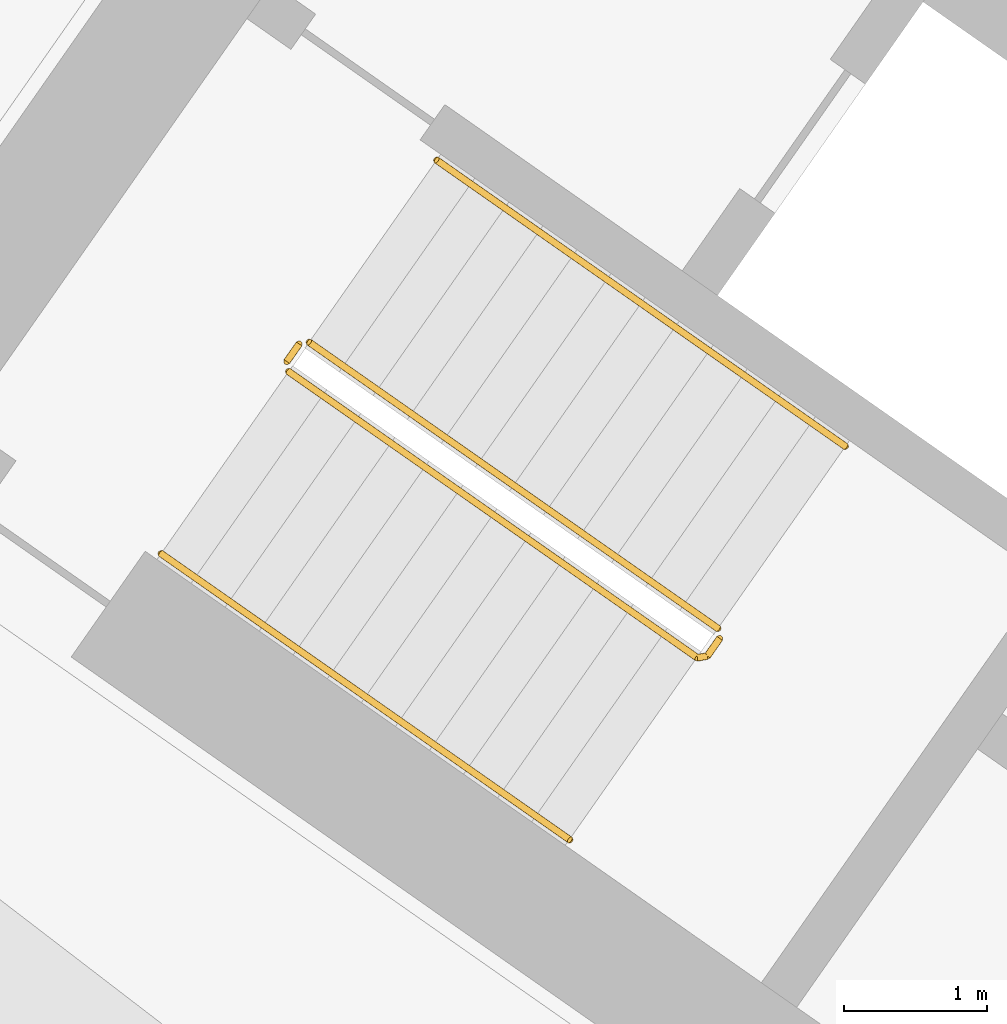
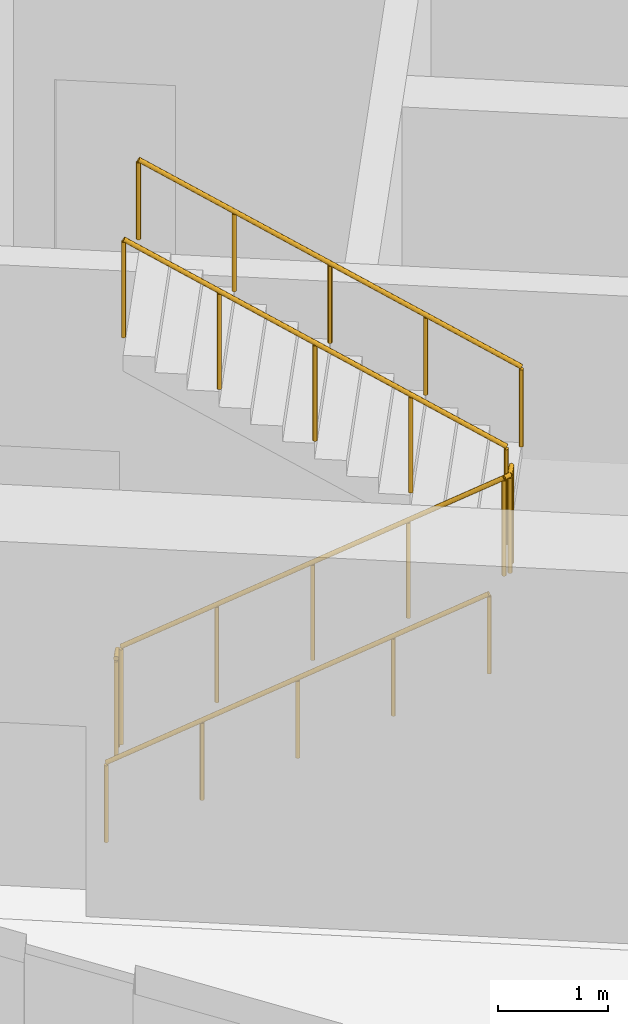
# One storey, part 16 of 20: 5 railings.
"""IFC4 building model written with IfcOpenShell, lengths in metres."""

import ifcopenshell
import ifcopenshell.guid

model = None  # the IFC model being written
_history = None  # IfcOwnerHistory: only IFC2X3 demands one
_inside = {}  # id of a spatial element -> (the spatial element, [elements in it])
_under = {}  # id of a project, library or spatial element -> (it, [spatial elements below it])
_declared = {}  # id of a project -> (the project, [libraries it declares])
_typed = {}  # id of a type object -> (the type object, [elements of that type])
_made_of = {}  # id of a material, layer set ... -> (it, [elements and type objects made of it])


def new_model(schema):
    """Start an empty IFC model of exactly this schema.

    Asked for "IFC4X3", IfcOpenShell would pick the latest addendum, in which some entities
    have other attributes; the version numbers below select the first issue.
    IFC2X3 requires an IfcOwnerHistory on every rooted entity: one is made here for all.
    """
    global model, _history
    if schema == "IFC4X3":
        model = ifcopenshell.file(schema_version=(4, 3, 0, 0))
    else:
        model = ifcopenshell.file(schema=schema)
    _inside.clear()
    _under.clear()
    _declared.clear()
    _typed.clear()
    _made_of.clear()
    _history = None
    if model.schema == "IFC2X3":
        org = make("IfcOrganization", Name="unknown")
        user = make(
            "IfcPersonAndOrganization",
            ThePerson=make("IfcPerson", FamilyName="unknown"),
            TheOrganization=org,
        )
        app = make(
            "IfcApplication",
            ApplicationDeveloper=org,
            Version="unknown",
            ApplicationFullName="unknown",
            ApplicationIdentifier="unknown",
        )
        _history = make(
            "IfcOwnerHistory",
            OwningUser=user,
            OwningApplication=app,
            ChangeAction="ADDED",
            CreationDate=0,
        )
    return model


def make(cls, **values):
    """One entity of the class cls with the attributes given. An attribute that is None is left unset."""
    return model.create_entity(
        cls, **{name: value for name, value in values.items() if value is not None}
    )


def rooted(cls, **values):
    """An entity with a GlobalId (a new one), such as an element, a storey or a relation."""
    return make(cls, GlobalId=ifcopenshell.guid.new(), OwnerHistory=_history, **values)


def si_unit(unit_type, name, prefix=None):
    """IfcSIUnit, for example si_unit("LENGTHUNIT", "METRE", prefix="MILLI")."""
    return make("IfcSIUnit", UnitType=unit_type, Prefix=prefix, Name=name)


def assignment(units):
    """IfcUnitAssignment: the units of a project."""
    return None if units is None else make("IfcUnitAssignment", Units=units)


def point(xyz):
    """IfcCartesianPoint."""
    return None if xyz is None else make("IfcCartesianPoint", Coordinates=xyz)


def direction(xyz):
    """IfcDirection."""
    return None if xyz is None else make("IfcDirection", DirectionRatios=xyz)


def frame(location, z_axis=None, x_axis=None):
    """IfcAxis2Placement3D, a coordinate frame: its origin and axes. An axis left out is left unset."""
    return make(
        "IfcAxis2Placement3D",
        Location=point(location),
        Axis=direction(z_axis),
        RefDirection=direction(x_axis),
    )


def frame_2d(location, x_axis=None):
    """IfcAxis2Placement2D, a coordinate frame in the plane: its origin and x axis."""
    return make(
        "IfcAxis2Placement2D", Location=point(location), RefDirection=direction(x_axis)
    )


def origin():
    """The frame at (0, 0, 0) with its axes left unset."""
    return frame((0.0, 0.0, 0.0))


def origin_2d():
    """The frame at (0, 0) in the plane with its x axis left unset."""
    return frame_2d((0.0, 0.0))


def place(relative_to, where):
    """IfcLocalPlacement: puts the frame where relative to a parent placement (None: the world)."""
    return make(
        "IfcLocalPlacement", PlacementRelTo=relative_to, RelativePlacement=where
    )


def context(
    kind, dimensions, precision=None, world=None, true_north=None, identifier=None
):
    """IfcGeometricRepresentationContext, for example the 3D "Model" context."""
    return make(
        "IfcGeometricRepresentationContext",
        ContextIdentifier=identifier,
        ContextType=kind,
        CoordinateSpaceDimension=dimensions,
        Precision=precision,
        WorldCoordinateSystem=world,
        TrueNorth=true_north,
    )


def subcontext(parent, identifier, kind, view, scale=None):
    """IfcGeometricRepresentationSubContext, for example "Body" below "Model"."""
    return make(
        "IfcGeometricRepresentationSubContext",
        ContextIdentifier=identifier,
        ContextType=kind,
        ParentContext=parent,
        TargetScale=scale,
        TargetView=view,
    )


def project(units=None, contexts=None):
    """IfcProject with its units and contexts."""
    return rooted(
        "IfcProject",
        Name="project",
        RepresentationContexts=contexts,
        UnitsInContext=assignment(units),
    )


def spatial(cls, under=None, at=None, **own):
    """A site, building, storey or space (cls), placed at a placement, below another one or the project."""
    s = rooted(cls, ObjectPlacement=at, **own)
    if under is not None:
        _under.setdefault(under.id(), (under, []))[1].append(s)
    return s


def profile(cls, at=None, kind="AREA", **sizes):
    """A parametric profile (cls). Its sizes go by their IFC names, for example OverallWidth=200.0."""
    return make(cls, ProfileType=kind, Position=at, **sizes)


def circle(**sizes):
    """IfcCircleProfileDef."""
    return profile("IfcCircleProfileDef", **sizes)


def extrude(swept, where, along, depth):
    """IfcExtrudedAreaSolid: the profile swept, set in the frame where, extruded along a direction by depth."""
    return make(
        "IfcExtrudedAreaSolid",
        SweptArea=swept,
        Position=where,
        ExtrudedDirection=direction(along),
        Depth=depth,
    )


def shape(context_of_items, identifier, shape_type, items):
    """IfcShapeRepresentation: the items that make up one representation, for example the "Body"."""
    return make(
        "IfcShapeRepresentation",
        ContextOfItems=context_of_items,
        RepresentationIdentifier=identifier,
        RepresentationType=shape_type,
        Items=items,
    )


def material(Name=None, Category=None):
    """IfcMaterial."""
    return make("IfcMaterial", Name=Name, Category=Category)


def made_of(thing, what):
    """Note that an element or type object is made of a material, layer set ...; save() writes the relation."""
    if what is not None:
        _made_of.setdefault(what.id(), (what, []))[1].append(thing)
    return thing


def type_object(cls, material=None, **own):
    """A type object (cls), such as IfcWallType, which elements share."""
    return made_of(rooted(cls, **own), material)


def element(
    cls,
    number,
    at=None,
    inside=None,
    cuts=None,
    type_object=None,
    material=None,
    context=None,
    identifier="Body",
    shape_type=None,
    held_by="IfcProductDefinitionShape",
    body=None,
    shapes=None,
    **own,
):
    """One element of the class cls, such as IfcWall. Its Tag is "e" and its number.

    at: its placement. inside: the storey or other place that contains it. cuts: it is an
    opening in that element (IfcRelVoidsElement). A single representation is given by context,
    identifier, shape_type and body (its items); several are given by shapes. held_by: the class
    of the entity that holds the representations. save() writes the other relations.
    """
    e = rooted(cls, Tag="e%d" % number, ObjectPlacement=at, **own)
    if body is not None:
        shapes = [shape(context, identifier, shape_type, body)]
    if shapes is not None:
        e.Representation = make(held_by, Representations=shapes)
    if inside is not None:
        _inside.setdefault(inside.id(), (inside, []))[1].append(e)
    if cuts is not None:
        rooted(
            "IfcRelVoidsElement", RelatingBuildingElement=cuts, RelatedOpeningElement=e
        )
    if type_object is not None:
        _typed.setdefault(type_object.id(), (type_object, []))[1].append(e)
    return made_of(e, material)


def aggregate(whole, parts):
    """IfcRelAggregates: a whole, such as a stair, and the parts it consists of."""
    return rooted("IfcRelAggregates", RelatingObject=whole, RelatedObjects=parts)


def save(model, path):
    """Write the relations noted so far, then the file.

    IfcRelAggregates (storeys below a building ...), IfcRelContainedInSpatialStructure (elements
    in a storey), IfcRelDefinesByType, IfcRelAssociatesMaterial and IfcRelDeclares: one each for
    every whole, place, type object, material and project.
    """
    for whole, parts in _under.values():
        aggregate(whole, parts)
    for where, things in _inside.values():
        rooted(
            "IfcRelContainedInSpatialStructure",
            RelatedElements=things,
            RelatingStructure=where,
        )
    for kind, things in _typed.values():
        rooted("IfcRelDefinesByType", RelatedObjects=things, RelatingType=kind)
    for what, things in _made_of.values():
        rooted("IfcRelAssociatesMaterial", RelatedObjects=things, RelatingMaterial=what)
    for by, libraries in _declared.values():
        rooted("IfcRelDeclares", RelatingContext=by, RelatedDefinitions=libraries)
    model.write(path)


model = new_model("IFC4")

# Units and contexts
model_context = context("Model", 3, precision=1e-05, world=origin(), true_north=direction((0.0, 1.0)))
body_context = subcontext(model_context, "Body", "Model", "MODEL_VIEW")
ifc_project = project(units=[si_unit("LENGTHUNIT", "METRE"), si_unit("AREAUNIT", "SQUARE_METRE"), si_unit("VOLUMEUNIT", "CUBIC_METRE"), si_unit("PLANEANGLEUNIT", "RADIAN"), si_unit("MASSUNIT", "GRAM", prefix="KILO")], contexts=[model_context])

# Site, building, storey
site_placement = place(None, origin())
site = spatial("IfcSite", under=ifc_project, at=site_placement, CompositionType="ELEMENT")
building_placement = place(site_placement, origin())
building = spatial("IfcBuilding", under=site, at=building_placement, Name="Qamariyya Broadcast Tower", CompositionType="ELEMENT")
storey_placement = place(building_placement, frame((0.0, 0.0, 27.0)))
storey = spatial("IfcBuildingStorey", under=building, at=storey_placement, Name="L03", CompositionType="ELEMENT", Elevation=27.0)

# Railings
ifc_material_1 = material(Name="Painted steel", Category="steel")
railing_type_1 = type_object("IfcRailingType", Name="Stair guard", PredefinedType="GUARDRAIL", material=ifc_material_1)
railing_1_placement = place(storey_placement, frame((-46.624267578125, -56.34765625, 0.173095703125)))
element("IfcRailing", 1, at=railing_1_placement, inside=storey, type_object=railing_type_1, Name="L03 ST-W1 stair guard 1", PredefinedType="GUARDRAIL", context=body_context, shape_type="SweptSolid", body=[
    extrude(circle(Radius=0.02392578125, at=origin_2d()), frame((0.0, 0.0, 1.076171875), z_axis=(0.703392637411, -0.492543525477, 0.512483827206), x_axis=(0.573594173421, 0.819139624372, 0.0)), (0.0, 0.0, 1.0), 4.052734375),
    extrude(circle(Radius=0.02392578125, at=origin_2d()), frame((2.8505859375, -1.99609375, 3.15283203125), z_axis=(0.984957024646, 0.172799478008, 0.0), x_axis=(-0.172799478008, 0.984957024646, 0.0)), (0.0, 0.0, 1.0), 0.070556640625),
    extrude(circle(Radius=0.02392578125, at=origin_2d()), frame((2.920166015625, -1.98388671875, 3.15283203125), z_axis=(0.574444878118, 0.818543268254, 0.0), x_axis=(-0.818543268254, 0.574444878118, 0.0)), (0.0, 0.0, 1.0), 0.150146484375),
    extrude(circle(Radius=0.02099609375, at=origin_2d()), origin(), (0.0, 0.0, 1.0), 1.052001953125),
    extrude(circle(Radius=0.02099609375, at=origin_2d()), frame((0.712646484375, -0.4990234375, 0.519287109375)), (0.0, 0.0, 1.0), 1.052001953125),
    extrude(circle(Radius=0.02099609375, at=origin_2d()), frame((1.42529296875, -0.998046875, 1.03857421875)), (0.0, 0.0, 1.0), 1.052001953125),
    extrude(circle(Radius=0.02099609375, at=origin_2d()), frame((2.137939453125, -1.4970703125, 1.5576171875)), (0.0, 0.0, 1.0), 1.052001953125),
    extrude(circle(Radius=0.02099609375, at=origin_2d()), frame((2.8505859375, -1.99609375, 2.076904296875)), (0.0, 0.0, 1.0), 1.052001953125),
    extrude(circle(Radius=0.02099609375, at=origin_2d()), frame((2.920166015625, -1.98388671875, 2.076904296875)), (0.0, 0.0, 1.0), 1.052001953125),
    extrude(circle(Radius=0.02099609375, at=origin_2d()), frame((3.00634765625, -1.861083984375, 2.076904296875)), (0.0, 0.0, 1.0), 1.052001953125),
])
railing_2_placement = place(storey_placement, frame((-43.63037109375, -58.138916015625, 2.423095703125)))
element("IfcRailing", 2, at=railing_2_placement, inside=storey, type_object=railing_type_1, Name="L03 ST-W1 stair guard 2", PredefinedType="GUARDRAIL", context=body_context, shape_type="SweptSolid", body=[
    extrude(circle(Radius=0.02392578125, at=origin_2d()), frame((0.0, 0.0, 1.076171875), z_axis=(-0.703413508203, 0.492497895646, 0.512499033426), x_axis=(-0.57354709673, -0.81917258733, 0.0)), (0.0, 0.0, 1.0), 4.052490234375),
    extrude(circle(Radius=0.02099609375, at=origin_2d()), origin(), (0.0, 0.0, 1.0), 1.052001953125),
    extrude(circle(Radius=0.02099609375, at=origin_2d()), frame((-0.712646484375, 0.4990234375, 0.519287109375)), (0.0, 0.0, 1.0), 1.052001953125),
    extrude(circle(Radius=0.02099609375, at=origin_2d()), frame((-1.42529296875, 0.998046875, 1.03857421875)), (0.0, 0.0, 1.0), 1.052001953125),
    extrude(circle(Radius=0.02099609375, at=origin_2d()), frame((-2.137939453125, 1.496826171875, 1.5576171875)), (0.0, 0.0, 1.0), 1.052001953125),
    extrude(circle(Radius=0.02099609375, at=origin_2d()), frame((-2.8505859375, 1.995849609375, 2.076904296875)), (0.0, 0.0, 1.0), 1.052001953125),
])
railing_3_placement = place(storey_placement, frame((-46.63671875, -56.278076171875, 0.0)))
element("IfcRailing", 3, at=railing_3_placement, inside=storey, type_object=railing_type_1, Name="L03 ST-W1 stair guard 3", PredefinedType="GUARDRAIL", context=body_context, shape_type="SweptSolid", body=[
    extrude(circle(Radius=0.02392578125, at=origin_2d()), frame((0.0, 0.0, 1.076171875), z_axis=(0.574444878118, 0.818543268254, 0.0), x_axis=(-0.818543268254, 0.574444878118, 0.0)), (0.0, 0.0, 1.0), 0.150146484375),
    extrude(circle(Radius=0.02099609375, at=origin_2d()), origin(), (0.0, 0.0, 1.0), 1.052001953125),
    extrude(circle(Radius=0.02099609375, at=origin_2d()), frame((0.086181640625, 0.122802734375, 0.0)), (0.0, 0.0, 1.0), 1.052001953125),
])
ifc_material_2 = material(Name="Stainless steel", Category="steel")
railing_type_2 = type_object("IfcRailingType", Name="Stair handrail", PredefinedType="HANDRAIL", material=ifc_material_2)
railing_4_placement = place(storey_placement, frame((-47.513427734375, -57.617431640625, 0.173095703125)))
element("IfcRailing", 4, at=railing_4_placement, inside=storey, type_object=railing_type_2, Name="L03 ST-W1 stair handrail 1", PredefinedType="HANDRAIL", context=body_context, shape_type="SweptSolid", body=[
    extrude(circle(Radius=0.02392578125, at=origin_2d()), frame((0.0, 0.0, 0.8759765625), z_axis=(0.703423072377, -0.49252265477, 0.512462111562), x_axis=(0.573561211868, 0.819162704376, 0.0)), (0.0, 0.0, 1.0), 4.052734375),
    extrude(circle(Radius=0.02099609375, at=origin_2d()), origin(), (0.0, 0.0, 1.0), 0.851806640625),
    extrude(circle(Radius=0.02099609375, at=origin_2d()), frame((0.712646484375, -0.4990234375, 0.519287109375)), (0.0, 0.0, 1.0), 0.851806640625),
    extrude(circle(Radius=0.02099609375, at=origin_2d()), frame((1.42529296875, -0.998046875, 1.03857421875)), (0.0, 0.0, 1.0), 0.851806640625),
    extrude(circle(Radius=0.02099609375, at=origin_2d()), frame((2.13818359375, -1.4970703125, 1.5576171875)), (0.0, 0.0, 1.0), 0.851806640625),
    extrude(circle(Radius=0.02099609375, at=origin_2d()), frame((2.850830078125, -1.99609375, 2.076904296875)), (0.0, 0.0, 1.0), 0.851806640625),
])
railing_5_placement = place(storey_placement, frame((-42.7412109375, -56.869384765625, 2.423095703125)))
element("IfcRailing", 5, at=railing_5_placement, inside=storey, type_object=railing_type_2, Name="L03 ST-W1 stair handrail 2", PredefinedType="HANDRAIL", context=body_context, shape_type="SweptSolid", body=[
    extrude(circle(Radius=0.02392578125, at=origin_2d()), frame((0.0, 0.0, 0.8759765625), z_axis=(-0.703392637411, 0.492543525477, 0.512483827206), x_axis=(-0.573594173421, -0.819139624372, 0.0)), (0.0, 0.0, 1.0), 4.052734375),
    extrude(circle(Radius=0.02099609375, at=origin_2d()), origin(), (0.0, 0.0, 1.0), 0.851806640625),
    extrude(circle(Radius=0.02099609375, at=origin_2d()), frame((-0.712646484375, 0.4990234375, 0.519287109375)), (0.0, 0.0, 1.0), 0.851806640625),
    extrude(circle(Radius=0.02099609375, at=origin_2d()), frame((-1.42529296875, 0.998046875, 1.03857421875)), (0.0, 0.0, 1.0), 0.851806640625),
    extrude(circle(Radius=0.02099609375, at=origin_2d()), frame((-2.137939453125, 1.4970703125, 1.5576171875)), (0.0, 0.0, 1.0), 0.851806640625),
    extrude(circle(Radius=0.02099609375, at=origin_2d()), frame((-2.8505859375, 1.99609375, 2.076904296875)), (0.0, 0.0, 1.0), 0.851806640625),
])

save(model, "model.ifc")
